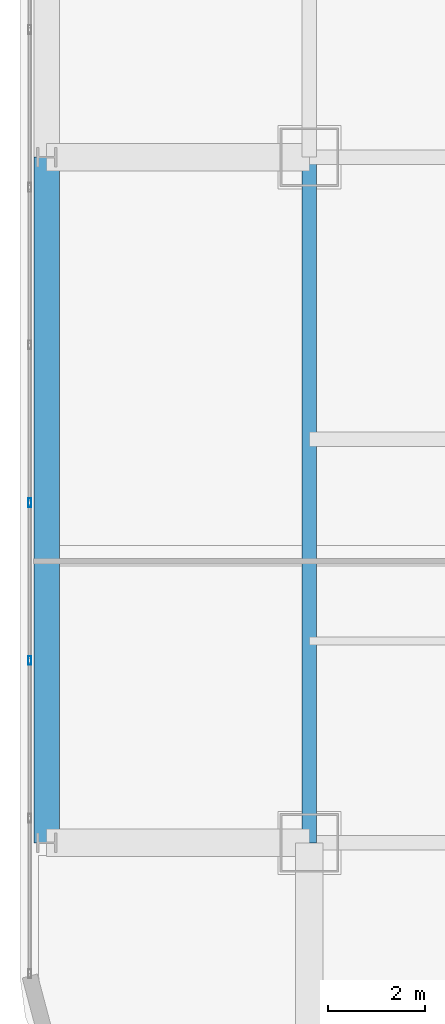
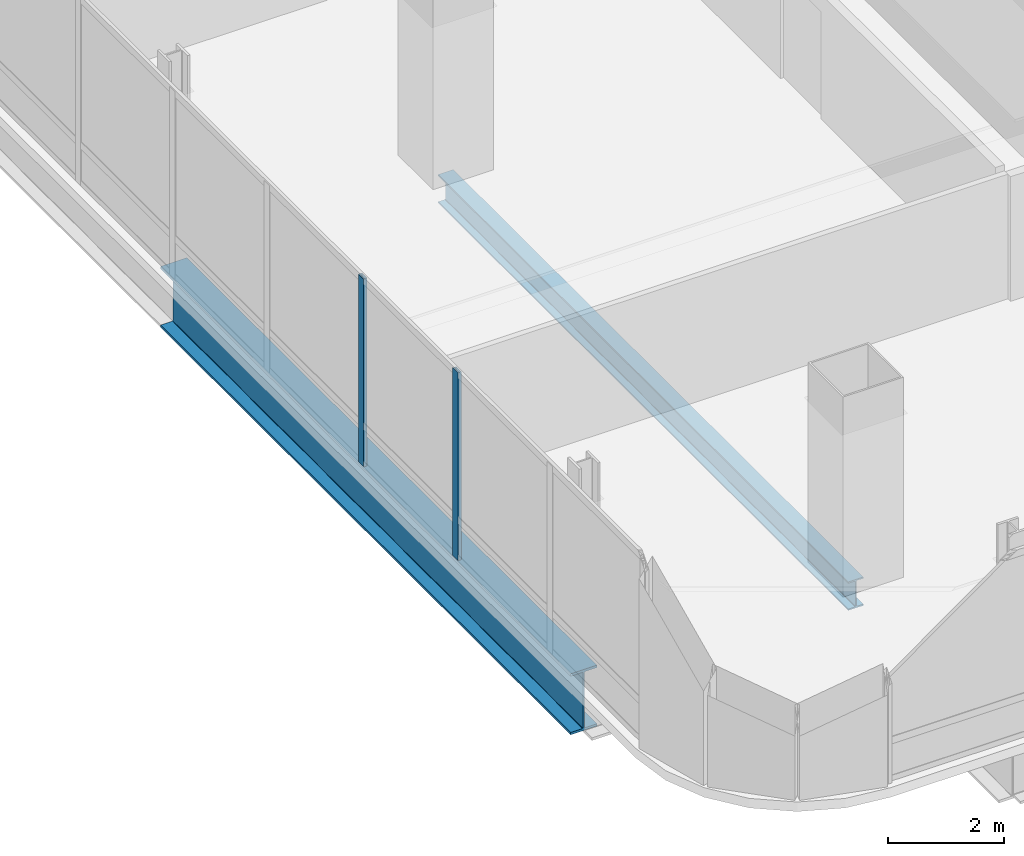
# One storey, part 6 of 46: 2 beams, 2 members, 1 element without a shape of its own.
"""IFC4 building model written with IfcOpenShell, lengths in metres."""

import ifcopenshell
import ifcopenshell.guid

model = None  # the IFC model being written
_history = None  # IfcOwnerHistory: only IFC2X3 demands one
_inside = {}  # id of a spatial element -> (the spatial element, [elements in it])
_under = {}  # id of a project, library or spatial element -> (it, [spatial elements below it])
_declared = {}  # id of a project -> (the project, [libraries it declares])
_typed = {}  # id of a type object -> (the type object, [elements of that type])
_made_of = {}  # id of a material, layer set ... -> (it, [elements and type objects made of it])


def new_model(schema):
    """Start an empty IFC model of exactly this schema.

    Asked for "IFC4X3", IfcOpenShell would pick the latest addendum, in which some entities
    have other attributes; the version numbers below select the first issue.
    IFC2X3 requires an IfcOwnerHistory on every rooted entity: one is made here for all.
    """
    global model, _history
    if schema == "IFC4X3":
        model = ifcopenshell.file(schema_version=(4, 3, 0, 0))
    else:
        model = ifcopenshell.file(schema=schema)
    _inside.clear()
    _under.clear()
    _declared.clear()
    _typed.clear()
    _made_of.clear()
    _history = None
    if model.schema == "IFC2X3":
        org = make("IfcOrganization", Name="unknown")
        user = make(
            "IfcPersonAndOrganization",
            ThePerson=make("IfcPerson", FamilyName="unknown"),
            TheOrganization=org,
        )
        app = make(
            "IfcApplication",
            ApplicationDeveloper=org,
            Version="unknown",
            ApplicationFullName="unknown",
            ApplicationIdentifier="unknown",
        )
        _history = make(
            "IfcOwnerHistory",
            OwningUser=user,
            OwningApplication=app,
            ChangeAction="ADDED",
            CreationDate=0,
        )
    return model


def make(cls, **values):
    """One entity of the class cls with the attributes given. An attribute that is None is left unset."""
    return model.create_entity(
        cls, **{name: value for name, value in values.items() if value is not None}
    )


def rooted(cls, **values):
    """An entity with a GlobalId (a new one), such as an element, a storey or a relation."""
    return make(cls, GlobalId=ifcopenshell.guid.new(), OwnerHistory=_history, **values)


def si_unit(unit_type, name, prefix=None):
    """IfcSIUnit, for example si_unit("LENGTHUNIT", "METRE", prefix="MILLI")."""
    return make("IfcSIUnit", UnitType=unit_type, Prefix=prefix, Name=name)


def assignment(units):
    """IfcUnitAssignment: the units of a project."""
    return None if units is None else make("IfcUnitAssignment", Units=units)


def point(xyz):
    """IfcCartesianPoint."""
    return None if xyz is None else make("IfcCartesianPoint", Coordinates=xyz)


def direction(xyz):
    """IfcDirection."""
    return None if xyz is None else make("IfcDirection", DirectionRatios=xyz)


def frame(location, z_axis=None, x_axis=None):
    """IfcAxis2Placement3D, a coordinate frame: its origin and axes. An axis left out is left unset."""
    return make(
        "IfcAxis2Placement3D",
        Location=point(location),
        Axis=direction(z_axis),
        RefDirection=direction(x_axis),
    )


def frame_2d(location, x_axis=None):
    """IfcAxis2Placement2D, a coordinate frame in the plane: its origin and x axis."""
    return make(
        "IfcAxis2Placement2D", Location=point(location), RefDirection=direction(x_axis)
    )


def origin():
    """The frame at (0, 0, 0) with its axes left unset."""
    return frame((0.0, 0.0, 0.0))


def origin_2d():
    """The frame at (0, 0) in the plane with its x axis left unset."""
    return frame_2d((0.0, 0.0))


def place(relative_to, where):
    """IfcLocalPlacement: puts the frame where relative to a parent placement (None: the world)."""
    return make(
        "IfcLocalPlacement", PlacementRelTo=relative_to, RelativePlacement=where
    )


def context(
    kind, dimensions, precision=None, world=None, true_north=None, identifier=None
):
    """IfcGeometricRepresentationContext, for example the 3D "Model" context."""
    return make(
        "IfcGeometricRepresentationContext",
        ContextIdentifier=identifier,
        ContextType=kind,
        CoordinateSpaceDimension=dimensions,
        Precision=precision,
        WorldCoordinateSystem=world,
        TrueNorth=true_north,
    )


def subcontext(parent, identifier, kind, view, scale=None):
    """IfcGeometricRepresentationSubContext, for example "Body" below "Model"."""
    return make(
        "IfcGeometricRepresentationSubContext",
        ContextIdentifier=identifier,
        ContextType=kind,
        ParentContext=parent,
        TargetScale=scale,
        TargetView=view,
    )


def project(units=None, contexts=None):
    """IfcProject with its units and contexts."""
    return rooted(
        "IfcProject",
        Name="project",
        RepresentationContexts=contexts,
        UnitsInContext=assignment(units),
    )


def spatial(cls, under=None, at=None, **own):
    """A site, building, storey or space (cls), placed at a placement, below another one or the project."""
    s = rooted(cls, ObjectPlacement=at, **own)
    if under is not None:
        _under.setdefault(under.id(), (under, []))[1].append(s)
    return s


def profile(cls, at=None, kind="AREA", **sizes):
    """A parametric profile (cls). Its sizes go by their IFC names, for example OverallWidth=200.0."""
    return make(cls, ProfileType=kind, Position=at, **sizes)


def hollow_rectangle(**sizes):
    """IfcRectangleHollowProfileDef."""
    return profile("IfcRectangleHollowProfileDef", **sizes)


def i_section(**sizes):
    """IfcIShapeProfileDef."""
    return profile("IfcIShapeProfileDef", **sizes)


def extrude(swept, where, along, depth):
    """IfcExtrudedAreaSolid: the profile swept, set in the frame where, extruded along a direction by depth."""
    return make(
        "IfcExtrudedAreaSolid",
        SweptArea=swept,
        Position=where,
        ExtrudedDirection=direction(along),
        Depth=depth,
    )


def shape(context_of_items, identifier, shape_type, items):
    """IfcShapeRepresentation: the items that make up one representation, for example the "Body"."""
    return make(
        "IfcShapeRepresentation",
        ContextOfItems=context_of_items,
        RepresentationIdentifier=identifier,
        RepresentationType=shape_type,
        Items=items,
    )


def material(Name=None, Category=None):
    """IfcMaterial."""
    return make("IfcMaterial", Name=Name, Category=Category)


def material_profile(
    of_material, cross_section, Name=None, Category=None, Priority=None
):
    """IfcMaterialProfile: a cross section and its material."""
    return make(
        "IfcMaterialProfile",
        Name=Name,
        Material=of_material,
        Profile=cross_section,
        Priority=Priority,
        Category=Category,
    )


def profile_set(profiles, Name=None, composite=None):
    """IfcMaterialProfileSet."""
    return make(
        "IfcMaterialProfileSet",
        Name=Name,
        MaterialProfiles=profiles,
        CompositeProfile=composite,
    )


def made_of(thing, what):
    """Note that an element or type object is made of a material, layer set ...; save() writes the relation."""
    if what is not None:
        _made_of.setdefault(what.id(), (what, []))[1].append(thing)
    return thing


def type_object(cls, material=None, **own):
    """A type object (cls), such as IfcWallType, which elements share."""
    return made_of(rooted(cls, **own), material)


def element(
    cls,
    number,
    at=None,
    inside=None,
    cuts=None,
    type_object=None,
    material=None,
    context=None,
    identifier="Body",
    shape_type=None,
    held_by="IfcProductDefinitionShape",
    body=None,
    shapes=None,
    **own,
):
    """One element of the class cls, such as IfcWall. Its Tag is "e" and its number.

    at: its placement. inside: the storey or other place that contains it. cuts: it is an
    opening in that element (IfcRelVoidsElement). A single representation is given by context,
    identifier, shape_type and body (its items); several are given by shapes. held_by: the class
    of the entity that holds the representations. save() writes the other relations.
    """
    e = rooted(cls, Tag="e%d" % number, ObjectPlacement=at, **own)
    if body is not None:
        shapes = [shape(context, identifier, shape_type, body)]
    if shapes is not None:
        e.Representation = make(held_by, Representations=shapes)
    if inside is not None:
        _inside.setdefault(inside.id(), (inside, []))[1].append(e)
    if cuts is not None:
        rooted(
            "IfcRelVoidsElement", RelatingBuildingElement=cuts, RelatedOpeningElement=e
        )
    if type_object is not None:
        _typed.setdefault(type_object.id(), (type_object, []))[1].append(e)
    return made_of(e, material)


def aggregate(whole, parts):
    """IfcRelAggregates: a whole, such as a stair, and the parts it consists of."""
    return rooted("IfcRelAggregates", RelatingObject=whole, RelatedObjects=parts)


def save(model, path):
    """Write the relations noted so far, then the file.

    IfcRelAggregates (storeys below a building ...), IfcRelContainedInSpatialStructure (elements
    in a storey), IfcRelDefinesByType, IfcRelAssociatesMaterial and IfcRelDeclares: one each for
    every whole, place, type object, material and project.
    """
    for whole, parts in _under.values():
        aggregate(whole, parts)
    for where, things in _inside.values():
        rooted(
            "IfcRelContainedInSpatialStructure",
            RelatedElements=things,
            RelatingStructure=where,
        )
    for kind, things in _typed.values():
        rooted("IfcRelDefinesByType", RelatedObjects=things, RelatingType=kind)
    for what, things in _made_of.values():
        rooted("IfcRelAssociatesMaterial", RelatedObjects=things, RelatingMaterial=what)
    for by, libraries in _declared.values():
        rooted("IfcRelDeclares", RelatingContext=by, RelatedDefinitions=libraries)
    model.write(path)


model = new_model("IFC4")

# Units and contexts
model_context = context("Model", 3, precision=1e-05, world=origin(), true_north=direction((0.0, 1.0)))
body_context = subcontext(model_context, "Body", "Model", "MODEL_VIEW")
ifc_project = project(units=[si_unit("LENGTHUNIT", "METRE"), si_unit("AREAUNIT", "SQUARE_METRE"), si_unit("VOLUMEUNIT", "CUBIC_METRE"), si_unit("PLANEANGLEUNIT", "RADIAN"), si_unit("MASSUNIT", "GRAM", prefix="KILO")], contexts=[model_context])

# Site, building, storey
site_placement = place(None, origin())
site = spatial("IfcSite", under=ifc_project, at=site_placement, CompositionType="ELEMENT")
building_placement = place(site_placement, origin())
building = spatial("IfcBuilding", under=site, at=building_placement, Name="Punatoya Terracotta Tower", CompositionType="ELEMENT")
storey_placement = place(building_placement, frame((0.0, 0.0, 330.0)))
storey = spatial("IfcBuildingStorey", under=building, at=storey_placement, Name="L78", CompositionType="ELEMENT", Elevation=330.0)

# Beams
ifc_material_1 = material(Name="Steel S355", Category="steel")
ifc_material_profile_1 = material_profile(ifc_material_1, i_section(OverallWidth=0.300048828125, OverallDepth=0.60009765625, WebThickness=0.015380859375, FlangeThickness=0.030029296875, FilletRadius=0.01806640625, at=origin_2d()))
ifc_profile_set_1 = profile_set([ifc_material_profile_1], Name="Steel S355")
beam_type_1 = type_object("IfcBeamType", Name="BM-PRI-600", PredefinedType="BEAM", material=ifc_profile_set_1)
beam_1_placement = place(storey_placement, frame((-19.10009765625, -17.5, -0.5), z_axis=(0.0, 1.0, 0.0), x_axis=(-1.0, 0.0, 0.0)))
element("IfcBeam", 1, at=beam_1_placement, inside=storey, type_object=beam_type_1, Name="BM-L78-RG-W1", PredefinedType="BEAM", context=body_context, shape_type="SweptSolid", body=[
    extrude(i_section(OverallWidth=0.300048828125, OverallDepth=0.60009765625, WebThickness=0.015380859375, FlangeThickness=0.030029296875, FilletRadius=0.01806640625, at=origin_2d()), origin(), (0.0, 0.0, 1.0), 14.10009765625),
])
ifc_material_2 = material(Name="Steel S460", Category="steel")
ifc_material_profile_2 = material_profile(ifc_material_2, i_section(OverallWidth=0.52001953125, OverallDepth=1.280029296875, WebThickness=0.031982421875, FlangeThickness=0.050048828125, FilletRadius=0.01806640625, at=origin_2d()))
ifc_profile_set_2 = profile_set([ifc_material_profile_2], Name="Steel S460")
beam_type_2 = type_object("IfcBeamType", Name="BM-TG-NCK", PredefinedType="BEAM", material=ifc_profile_set_2)
beam_2_placement = place(storey_placement, frame((-24.5, -17.5, -0.840087890625), z_axis=(0.0, 1.0, 0.0), x_axis=(-1.0, 0.0, 0.0)))
element("IfcBeam", 2, at=beam_2_placement, inside=storey, type_object=beam_type_2, Name="BM-L78-PER-W1", PredefinedType="BEAM", context=body_context, shape_type="SweptSolid", body=[
    extrude(i_section(OverallWidth=0.52001953125, OverallDepth=1.280029296875, WebThickness=0.031982421875, FlangeThickness=0.050048828125, FilletRadius=0.01806640625, at=origin_2d()), origin(), (0.0, 0.0, 1.0), 14.10009765625),
])

# Curtain wall, members
ifc_material_3 = material(Name="Aluminium 6063-T6 + Double Low-E Glass", Category="aluminium")
curtain_wall_type = type_object("IfcCurtainWallType", Name="CW-OBS", PredefinedType="NOTDEFINED", material=ifc_material_3)
curtain_wall_placement = place(storey_placement, origin())
curtain_wall = element("IfcCurtainWall", 3, at=curtain_wall_placement, inside=storey, type_object=curtain_wall_type, Name="L78 Curtain Wall CW-L78-W13-1", PredefinedType="NOTDEFINED")
ifc_material_4 = material(Name="Aluminium 6063-T6", Category="aluminium")
ifc_material_profile_3 = material_profile(ifc_material_4, hollow_rectangle(XDim=0.070068359375, YDim=0.179931640625, WallThickness=0.00390625, at=origin_2d()))
ifc_profile_set_3 = profile_set([ifc_material_profile_3], Name="Aluminium 6063-T6")
member_type = type_object("IfcMemberType", Name="CW-MUL-M3", PredefinedType="MULLION", material=ifc_profile_set_3)
member_1_placement = place(storey_placement, frame((-24.85009765625, -10.5078125, 0.0), z_axis=(0.0, 0.0, 1.0), x_axis=(1.0, 0.0, 0.0)))
member_1 = element("IfcMember", 4, at=member_1_placement, type_object=member_type, Name="CW-L78-W13-1 Mullion 08", PredefinedType="MULLION", context=body_context, shape_type="SweptSolid", body=[
    extrude(hollow_rectangle(XDim=0.070068359375, YDim=0.179931640625, WallThickness=0.00390625, at=origin_2d()), origin(), (0.0, 0.0, 1.0), 3.93994140625),
])
member_2_placement = place(storey_placement, frame((-24.85009765625, -13.750732421875, 0.0), z_axis=(0.0, 0.0, 1.0), x_axis=(1.0, 0.0, 0.0)))
member_2 = element("IfcMember", 5, at=member_2_placement, type_object=member_type, Name="CW-L78-W13-1 Mullion 09", PredefinedType="MULLION", context=body_context, shape_type="SweptSolid", body=[
    extrude(hollow_rectangle(XDim=0.070068359375, YDim=0.179931640625, WallThickness=0.00390625, at=origin_2d()), origin(), (0.0, 0.0, 1.0), 3.93994140625),
])
aggregate(curtain_wall, [member_1, member_2])

save(model, "model.ifc")
